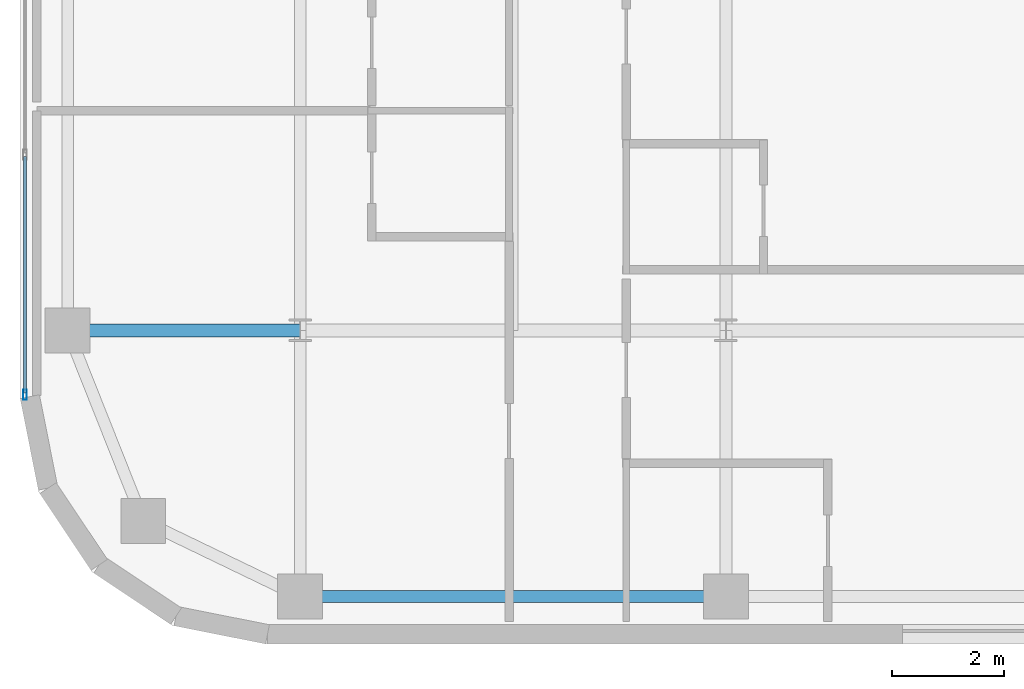
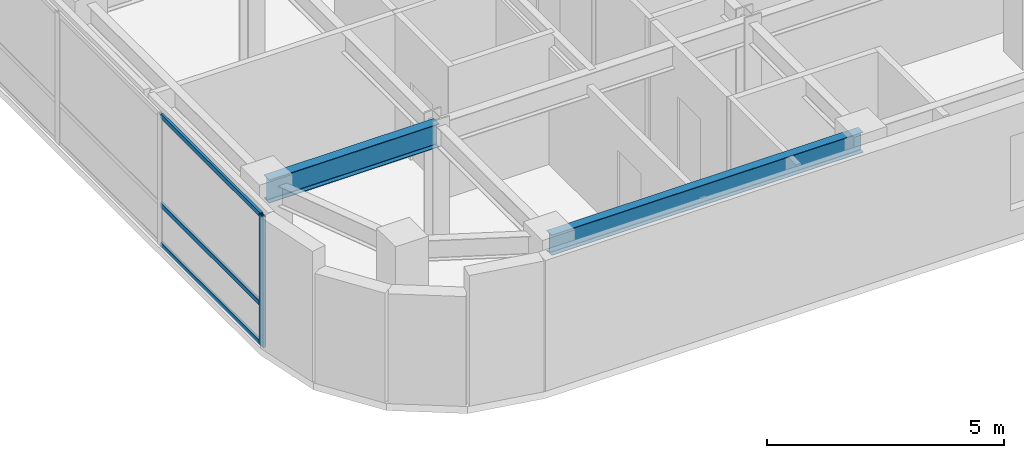
# One storey, part 3 of 24: 4 members, 2 beams, 1 element without a shape of its own.
"""IFC4 building model written with IfcOpenShell, lengths in metres."""

from ifc_helpers import new_model, si_unit, direction, frame, origin, origin_2d, place, context, subcontext, project, spatial, hollow_rectangle, i_section, extrude, source, transform, mapped, material, layer, layer_set, material_profile, profile_set, type_object, type_shapes, element, aggregate, save


model = new_model("IFC4")

# Units and contexts
model_context = context("Model", 3, precision=1e-05, world=origin(), true_north=direction((0.0, 1.0)))
body_context = subcontext(model_context, "Body", "Model", "MODEL_VIEW")
ifc_project = project(units=[si_unit("LENGTHUNIT", "METRE"), si_unit("AREAUNIT", "SQUARE_METRE"), si_unit("VOLUMEUNIT", "CUBIC_METRE"), si_unit("PLANEANGLEUNIT", "RADIAN"), si_unit("MASSUNIT", "GRAM", prefix="KILO")], contexts=[model_context])

# Site, building, storey
site_placement = place(None, origin())
site = spatial("IfcSite", under=ifc_project, at=site_placement, CompositionType="ELEMENT")
building_placement = place(site_placement, origin())
building = spatial("IfcBuilding", under=site, at=building_placement, Name="Tolvann Quenvar Hotel", CompositionType="ELEMENT")
storey_placement = place(building_placement, frame((0.0, 0.0, 194.64990234375)))
storey = spatial("IfcBuildingStorey", under=building, at=storey_placement, Name="L51", CompositionType="ELEMENT", Elevation=194.64990234375)

# Beams
ifc_material_1 = material(Name="Steel Grade 350", Category="steel")
ifc_material_profile_1 = material_profile(ifc_material_1, i_section(OverallWidth=0.208984375, OverallDepth=0.528076171875, WebThickness=0.009521484375, FlangeThickness=0.01318359375, FilletRadius=0.013916015625, at=origin_2d()), Name="530UB82")
ifc_profile_set_1 = profile_set([ifc_material_profile_1], Name="Steel Grade 350")
beam_type_1 = type_object("IfcBeamType", Name="BM_SPAND_530UB82", PredefinedType="SPANDREL", material=ifc_profile_set_1)
shared_shape_1 = source(origin(), body_context, "Body", "SweptSolid", [
    extrude(i_section(OverallWidth=0.208984375, OverallDepth=0.528076171875, WebThickness=0.009521484375, FlangeThickness=0.01318359375, FilletRadius=0.013916015625, at=origin_2d()), origin(), (0.0, 0.0, 1.0), 7.599853515625),
])
type_shapes(beam_type_1, [shared_shape_1])
beam_1_placement = place(storey_placement, frame((7.60009765625, 3.449951171875, 3.106201171875), z_axis=(1.0, 0.0, 0.0), x_axis=(0.0, 1.0, 0.0)))
element("IfcBeam", 1, at=beam_1_placement, inside=storey, type_object=beam_type_1, Name="BM-L51-EW-2-C2-D2", PredefinedType="SPANDREL", context=body_context, shape_type="MappedRepresentation", body=[
    mapped(shared_shape_1, transform((0.0, 0.0, 0.0), x_axis=(1.0, 0.0, 0.0), y_axis=(0.0, 1.0, 0.0), z_axis=(0.0, 0.0, 1.0), scale=1.0)),
])
ifc_material_profile_2 = material_profile(ifc_material_1, i_section(OverallWidth=0.22802734375, OverallDepth=0.60205078125, WebThickness=0.010498046875, FlangeThickness=0.014892578125, FilletRadius=0.013916015625, at=origin_2d()), Name="610UB101")
ifc_profile_set_2 = profile_set([ifc_material_profile_2], Name="Steel Grade 350")
beam_type_2 = type_object("IfcBeamType", Name="BM_GIRD_610UB101", PredefinedType="BEAM", material=ifc_profile_set_2)
shared_shape_2 = source(origin(), body_context, "Body", "SweptSolid", [
    extrude(i_section(OverallWidth=0.22802734375, OverallDepth=0.60205078125, WebThickness=0.010498046875, FlangeThickness=0.014892578125, FilletRadius=0.013916015625, at=origin_2d()), origin(), (0.0, 0.0, 1.0), 4.150146484375),
])
type_shapes(beam_type_2, [shared_shape_2])
beam_2_placement = place(storey_placement, frame((3.449951171875, 8.199951171875, 3.069091796875), z_axis=(1.0, 0.0, 0.0), x_axis=(0.0, 1.0, 0.0)))
element("IfcBeam", 2, at=beam_2_placement, inside=storey, type_object=beam_type_2, Name="BM-L51-EW-3-B3-C3", PredefinedType="BEAM", context=body_context, shape_type="MappedRepresentation", body=[
    mapped(shared_shape_2, transform((0.0, 0.0, 0.0), x_axis=(1.0, 0.0, 0.0), y_axis=(0.0, 1.0, 0.0), z_axis=(0.0, 0.0, 1.0), scale=1.0)),
])

# Curtain wall, members
ifc_material_2 = material(Name="Thermally broken anodised architectural aluminium 6063-T6 and laminated low-E glass", Category="aluminium")
ifc_layer = layer(ifc_material_2, 0.179931640625)
ifc_layer_set = layer_set([ifc_layer], Name="Thermally broken anodised architectural aluminium 6063-T6 and laminated low-E glass")
curtain_wall_type = type_object("IfcCurtainWallType", Name="CW_SYS_BAND_04", PredefinedType="USERDEFINED", material=ifc_layer_set)
curtain_wall_placement = place(storey_placement, origin())
curtain_wall = element("IfcCurtainWall", 3, at=curtain_wall_placement, inside=storey, type_object=curtain_wall_type, Name="Curtain Wall CW-BAND-04 (CWR-L51-E23)", ObjectType="UNITISED CURTAIN WALL", PredefinedType="USERDEFINED")
ifc_material_3 = material(Name="Anodised architectural aluminium 6063-T6 framing", Category="aluminium")
ifc_material_profile_3 = material_profile(ifc_material_3, hollow_rectangle(XDim=0.070068359375, YDim=0.179931640625, WallThickness=0.00390625, at=origin_2d()), Name="180x70x4RHS")
ifc_profile_set_3 = profile_set([ifc_material_profile_3], Name="Anodised architectural aluminium 6063-T6 framing")
member_type_1 = type_object("IfcMemberType", Name="CW_MULL_180x70", PredefinedType="MULLION", material=ifc_profile_set_3)
shared_shape_3 = source(origin(), body_context, "Body", "SweptSolid", [
    extrude(hollow_rectangle(XDim=0.070068359375, YDim=0.179931640625, WallThickness=0.00390625, at=origin_2d()), origin(), (0.0, 0.0, 1.0), 3.3701171875),
])
type_shapes(member_type_1, [shared_shape_3])
member_1_placement = place(storey_placement, frame((2.68994140625, 7.05224609375, 0.0), z_axis=(0.0, 0.0, 1.0), x_axis=(1.0, 0.0, 0.0)))
member_1 = element("IfcMember", 4, at=member_1_placement, type_object=member_type_1, Name="CW-BAND-04 mullion 9", PredefinedType="MULLION", context=body_context, shape_type="MappedRepresentation", body=[
    mapped(shared_shape_3, transform((0.0, 0.0, 0.0), x_axis=(1.0, 0.0, 0.0), y_axis=(0.0, 1.0, 0.0), z_axis=(0.0, 0.0, 1.0), scale=1.0)),
])
ifc_material_profile_4 = material_profile(ifc_material_3, hollow_rectangle(XDim=0.06005859375, YDim=0.1201171875, WallThickness=0.00341796875, at=origin_2d()), Name="120x60x3.5RHS")
ifc_profile_set_4 = profile_set([ifc_material_profile_4], Name="Anodised architectural aluminium 6063-T6 framing")
member_type_2 = type_object("IfcMemberType", Name="CW_TRAN_120x60", PredefinedType="USERDEFINED", material=ifc_profile_set_4)
shared_shape_4 = source(origin(), body_context, "Body", "SweptSolid", [
    extrude(hollow_rectangle(XDim=0.06005859375, YDim=0.1201171875, WallThickness=0.00341796875, at=origin_2d()), origin(), (0.0, 0.0, 1.0), 4.2158203125),
])
type_shapes(member_type_2, [shared_shape_4])
member_2_placement = place(storey_placement, frame((2.68994140625, 11.302978515625, 0.030029296875), z_axis=(0.0, -1.0, 0.0), x_axis=(1.0, 0.0, 0.0)))
member_2 = element("IfcMember", 5, at=member_2_placement, type_object=member_type_2, Name="CW-BAND-04 transom 8.1", ObjectType="TRANSOM", PredefinedType="USERDEFINED", context=body_context, shape_type="MappedRepresentation", body=[
    mapped(shared_shape_4, transform((0.0, 0.0, 0.0), x_axis=(1.0, 0.0, 0.0), y_axis=(0.0, 1.0, 0.0), z_axis=(0.0, 0.0, 1.0), scale=1.0)),
])
member_3_placement = place(storey_placement, frame((2.68994140625, 11.302978515625, 1.050048828125), z_axis=(0.0, -1.0, 0.0), x_axis=(1.0, 0.0, 0.0)))
member_3 = element("IfcMember", 6, at=member_3_placement, type_object=member_type_2, Name="CW-BAND-04 transom 8.2", ObjectType="TRANSOM", PredefinedType="USERDEFINED", context=body_context, shape_type="MappedRepresentation", body=[
    mapped(shared_shape_4, transform((0.0, 0.0, 0.0), x_axis=(1.0, 0.0, 0.0), y_axis=(0.0, 1.0, 0.0), z_axis=(0.0, 0.0, 1.0), scale=1.0)),
])
member_4_placement = place(storey_placement, frame((2.68994140625, 11.302978515625, 3.340087890625), z_axis=(0.0, -1.0, 0.0), x_axis=(1.0, 0.0, 0.0)))
member_4 = element("IfcMember", 7, at=member_4_placement, type_object=member_type_2, Name="CW-BAND-04 transom 8.3", ObjectType="TRANSOM", PredefinedType="USERDEFINED", context=body_context, shape_type="MappedRepresentation", body=[
    mapped(shared_shape_4, transform((0.0, 0.0, 0.0), x_axis=(1.0, 0.0, 0.0), y_axis=(0.0, 1.0, 0.0), z_axis=(0.0, 0.0, 1.0), scale=1.0)),
])
aggregate(curtain_wall, [member_1, member_2, member_3, member_4])

save(model, "model.ifc")
